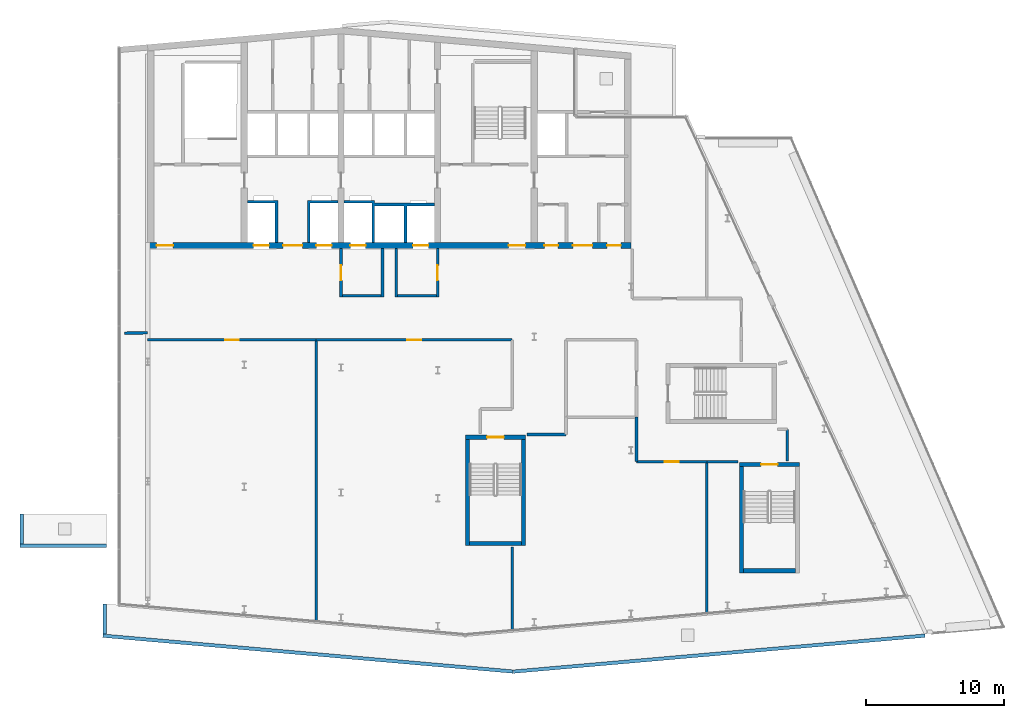
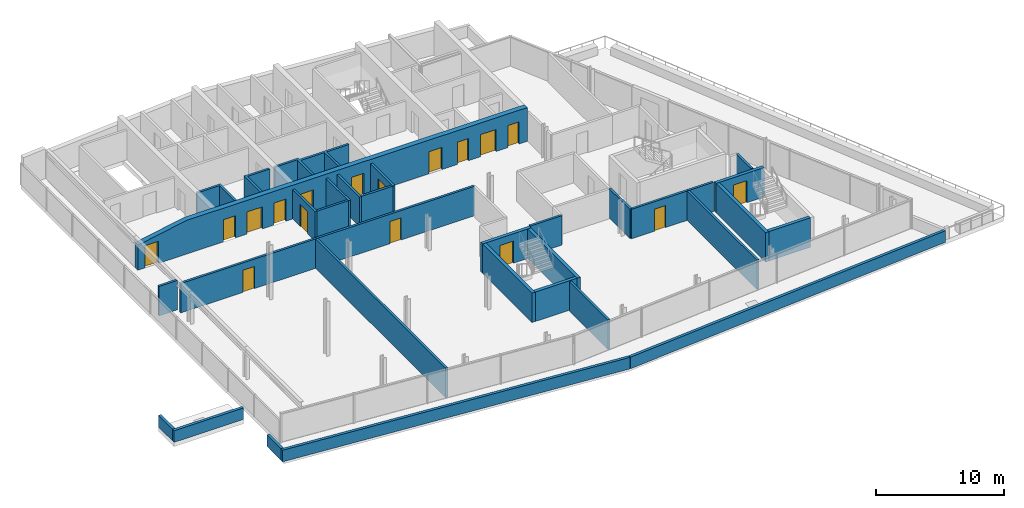
# One storey, part 11 of 17: 33 walls, 17 doors, 17 openings.
"""IFC4 building model written with IfcOpenShell, lengths in metres."""

import ifcopenshell
import ifcopenshell.guid

model = None  # the IFC model being written
_history = None  # IfcOwnerHistory: only IFC2X3 demands one
_inside = {}  # id of a spatial element -> (the spatial element, [elements in it])
_under = {}  # id of a project, library or spatial element -> (it, [spatial elements below it])
_declared = {}  # id of a project -> (the project, [libraries it declares])
_typed = {}  # id of a type object -> (the type object, [elements of that type])
_made_of = {}  # id of a material, layer set ... -> (it, [elements and type objects made of it])


def new_model(schema):
    """Start an empty IFC model of exactly this schema.

    Asked for "IFC4X3", IfcOpenShell would pick the latest addendum, in which some entities
    have other attributes; the version numbers below select the first issue.
    IFC2X3 requires an IfcOwnerHistory on every rooted entity: one is made here for all.
    """
    global model, _history
    if schema == "IFC4X3":
        model = ifcopenshell.file(schema_version=(4, 3, 0, 0))
    else:
        model = ifcopenshell.file(schema=schema)
    _inside.clear()
    _under.clear()
    _declared.clear()
    _typed.clear()
    _made_of.clear()
    _history = None
    if model.schema == "IFC2X3":
        org = make("IfcOrganization", Name="unknown")
        user = make(
            "IfcPersonAndOrganization",
            ThePerson=make("IfcPerson", FamilyName="unknown"),
            TheOrganization=org,
        )
        app = make(
            "IfcApplication",
            ApplicationDeveloper=org,
            Version="unknown",
            ApplicationFullName="unknown",
            ApplicationIdentifier="unknown",
        )
        _history = make(
            "IfcOwnerHistory",
            OwningUser=user,
            OwningApplication=app,
            ChangeAction="ADDED",
            CreationDate=0,
        )
    return model


def make(cls, **values):
    """One entity of the class cls with the attributes given. An attribute that is None is left unset."""
    return model.create_entity(
        cls, **{name: value for name, value in values.items() if value is not None}
    )


def rooted(cls, **values):
    """An entity with a GlobalId (a new one), such as an element, a storey or a relation."""
    return make(cls, GlobalId=ifcopenshell.guid.new(), OwnerHistory=_history, **values)


def si_unit(unit_type, name, prefix=None):
    """IfcSIUnit, for example si_unit("LENGTHUNIT", "METRE", prefix="MILLI")."""
    return make("IfcSIUnit", UnitType=unit_type, Prefix=prefix, Name=name)


def assignment(units):
    """IfcUnitAssignment: the units of a project."""
    return None if units is None else make("IfcUnitAssignment", Units=units)


def point(xyz):
    """IfcCartesianPoint."""
    return None if xyz is None else make("IfcCartesianPoint", Coordinates=xyz)


def direction(xyz):
    """IfcDirection."""
    return None if xyz is None else make("IfcDirection", DirectionRatios=xyz)


def frame(location, z_axis=None, x_axis=None):
    """IfcAxis2Placement3D, a coordinate frame: its origin and axes. An axis left out is left unset."""
    return make(
        "IfcAxis2Placement3D",
        Location=point(location),
        Axis=direction(z_axis),
        RefDirection=direction(x_axis),
    )


def frame_2d(location, x_axis=None):
    """IfcAxis2Placement2D, a coordinate frame in the plane: its origin and x axis."""
    return make(
        "IfcAxis2Placement2D", Location=point(location), RefDirection=direction(x_axis)
    )


def origin():
    """The frame at (0, 0, 0) with its axes left unset."""
    return frame((0.0, 0.0, 0.0))


def place(relative_to, where):
    """IfcLocalPlacement: puts the frame where relative to a parent placement (None: the world)."""
    return make(
        "IfcLocalPlacement", PlacementRelTo=relative_to, RelativePlacement=where
    )


def context(
    kind, dimensions, precision=None, world=None, true_north=None, identifier=None
):
    """IfcGeometricRepresentationContext, for example the 3D "Model" context."""
    return make(
        "IfcGeometricRepresentationContext",
        ContextIdentifier=identifier,
        ContextType=kind,
        CoordinateSpaceDimension=dimensions,
        Precision=precision,
        WorldCoordinateSystem=world,
        TrueNorth=true_north,
    )


def subcontext(parent, identifier, kind, view, scale=None):
    """IfcGeometricRepresentationSubContext, for example "Body" below "Model"."""
    return make(
        "IfcGeometricRepresentationSubContext",
        ContextIdentifier=identifier,
        ContextType=kind,
        ParentContext=parent,
        TargetScale=scale,
        TargetView=view,
    )


def project(units=None, contexts=None):
    """IfcProject with its units and contexts."""
    return rooted(
        "IfcProject",
        Name="project",
        RepresentationContexts=contexts,
        UnitsInContext=assignment(units),
    )


def spatial(cls, under=None, at=None, **own):
    """A site, building, storey or space (cls), placed at a placement, below another one or the project."""
    s = rooted(cls, ObjectPlacement=at, **own)
    if under is not None:
        _under.setdefault(under.id(), (under, []))[1].append(s)
    return s


def polyline(points):
    """IfcPolyline through the points."""
    return make("IfcPolyline", Points=[point(p) for p in points])


def profile(cls, at=None, kind="AREA", **sizes):
    """A parametric profile (cls). Its sizes go by their IFC names, for example OverallWidth=200.0."""
    return make(cls, ProfileType=kind, Position=at, **sizes)


def rectangle(**sizes):
    """IfcRectangleProfileDef."""
    return profile("IfcRectangleProfileDef", **sizes)


def outline(outer, holes=None, kind="AREA"):
    """IfcArbitraryClosedProfileDef: a profile drawn as a closed curve; with holes, ...WithVoids."""
    if holes is None:
        return make("IfcArbitraryClosedProfileDef", ProfileType=kind, OuterCurve=outer)
    return make(
        "IfcArbitraryProfileDefWithVoids",
        ProfileType=kind,
        OuterCurve=outer,
        InnerCurves=holes,
    )


def extrude(swept, where, along, depth):
    """IfcExtrudedAreaSolid: the profile swept, set in the frame where, extruded along a direction by depth."""
    return make(
        "IfcExtrudedAreaSolid",
        SweptArea=swept,
        Position=where,
        ExtrudedDirection=direction(along),
        Depth=depth,
    )


def shape(context_of_items, identifier, shape_type, items):
    """IfcShapeRepresentation: the items that make up one representation, for example the "Body"."""
    return make(
        "IfcShapeRepresentation",
        ContextOfItems=context_of_items,
        RepresentationIdentifier=identifier,
        RepresentationType=shape_type,
        Items=items,
    )


def material(Name=None, Category=None):
    """IfcMaterial."""
    return make("IfcMaterial", Name=Name, Category=Category)


def layer(
    of_material, thickness, ventilated=None, Name=None, Category=None, Priority=None
):
    """IfcMaterialLayer: one layer of a wall or slab, of a material (None: an air gap)."""
    return make(
        "IfcMaterialLayer",
        Material=of_material,
        LayerThickness=thickness,
        IsVentilated=ventilated,
        Name=Name,
        Category=Category,
        Priority=Priority,
    )


def layer_set(layers, Name=None):
    """IfcMaterialLayerSet."""
    return make("IfcMaterialLayerSet", MaterialLayers=layers, LayerSetName=Name)


def made_of(thing, what):
    """Note that an element or type object is made of a material, layer set ...; save() writes the relation."""
    if what is not None:
        _made_of.setdefault(what.id(), (what, []))[1].append(thing)
    return thing


def type_object(cls, material=None, **own):
    """A type object (cls), such as IfcWallType, which elements share."""
    return made_of(rooted(cls, **own), material)


def element(
    cls,
    number,
    at=None,
    inside=None,
    cuts=None,
    type_object=None,
    material=None,
    context=None,
    identifier="Body",
    shape_type=None,
    held_by="IfcProductDefinitionShape",
    body=None,
    shapes=None,
    **own,
):
    """One element of the class cls, such as IfcWall. Its Tag is "e" and its number.

    at: its placement. inside: the storey or other place that contains it. cuts: it is an
    opening in that element (IfcRelVoidsElement). A single representation is given by context,
    identifier, shape_type and body (its items); several are given by shapes. held_by: the class
    of the entity that holds the representations. save() writes the other relations.
    """
    e = rooted(cls, Tag="e%d" % number, ObjectPlacement=at, **own)
    if body is not None:
        shapes = [shape(context, identifier, shape_type, body)]
    if shapes is not None:
        e.Representation = make(held_by, Representations=shapes)
    if inside is not None:
        _inside.setdefault(inside.id(), (inside, []))[1].append(e)
    if cuts is not None:
        rooted(
            "IfcRelVoidsElement", RelatingBuildingElement=cuts, RelatedOpeningElement=e
        )
    if type_object is not None:
        _typed.setdefault(type_object.id(), (type_object, []))[1].append(e)
    return made_of(e, material)


def fill(opening, filler):
    """IfcRelFillsElement: the door or window that sits in an opening."""
    return rooted(
        "IfcRelFillsElement",
        RelatingOpeningElement=opening,
        RelatedBuildingElement=filler,
    )


def aggregate(whole, parts):
    """IfcRelAggregates: a whole, such as a stair, and the parts it consists of."""
    return rooted("IfcRelAggregates", RelatingObject=whole, RelatedObjects=parts)


def save(model, path):
    """Write the relations noted so far, then the file.

    IfcRelAggregates (storeys below a building ...), IfcRelContainedInSpatialStructure (elements
    in a storey), IfcRelDefinesByType, IfcRelAssociatesMaterial and IfcRelDeclares: one each for
    every whole, place, type object, material and project.
    """
    for whole, parts in _under.values():
        aggregate(whole, parts)
    for where, things in _inside.values():
        rooted(
            "IfcRelContainedInSpatialStructure",
            RelatedElements=things,
            RelatingStructure=where,
        )
    for kind, things in _typed.values():
        rooted("IfcRelDefinesByType", RelatedObjects=things, RelatingType=kind)
    for what, things in _made_of.values():
        rooted("IfcRelAssociatesMaterial", RelatedObjects=things, RelatingMaterial=what)
    for by, libraries in _declared.values():
        rooted("IfcRelDeclares", RelatingContext=by, RelatedDefinitions=libraries)
    model.write(path)


model = new_model("IFC4")

# Units and contexts
model_context = context("Model", 3, precision=1e-05, world=origin(), true_north=direction((0.0, 1.0)))
body_context = subcontext(model_context, "Body", "Model", "MODEL_VIEW")
ifc_project = project(units=[si_unit("LENGTHUNIT", "METRE"), si_unit("AREAUNIT", "SQUARE_METRE"), si_unit("VOLUMEUNIT", "CUBIC_METRE"), si_unit("PLANEANGLEUNIT", "RADIAN"), si_unit("MASSUNIT", "GRAM", prefix="KILO")], contexts=[model_context])

# Site, building, storey
site_placement = place(None, origin())
site = spatial("IfcSite", under=ifc_project, at=site_placement, CompositionType="ELEMENT")
building_placement = place(site_placement, origin())
building = spatial("IfcBuilding", under=site, at=building_placement, Name="Wharfspan Tower", CompositionType="ELEMENT")
storey_placement = place(building_placement, frame((0.0, 0.0, 261.100098)))
storey = spatial("IfcBuildingStorey", under=building, at=storey_placement, Name="L66", CompositionType="ELEMENT", Elevation=261.100098)

# Wall, opening, door
ifc_material_1 = material(Name="Calcium silicate masonry", Category="masonry")
ifc_layer_1 = layer(ifc_material_1, 0.199951)
ifc_layer_set_1 = layer_set([ifc_layer_1], Name="Calcium silicate masonry")
wall_type_1 = type_object("IfcWallType", Name="Core room wall 200", PredefinedType="PARTITIONING", material=ifc_layer_set_1)
wall_1_placement = place(storey_placement, frame((23.0, 27.399902, 0.0), z_axis=(0.0, 0.0, 1.0), x_axis=(1.0, 0.0, 0.0)))
wall_1 = element("IfcWall", 1, at=wall_1_placement, inside=storey, type_object=wall_type_1, Name="cr:L66:w1", PredefinedType="PARTITIONING", context=body_context, shape_type="SweptSolid", body=[
    extrude(rectangle(XDim=12.199951, YDim=0.199951, at=frame_2d((6.100098, 0.0))), origin(), (0.0, 0.0, 1.0), 2.799805),
])
opening_1_placement = place(wall_1_placement, frame((5.600098, 0.0, 0.0)))
opening_1 = element("IfcOpeningElement", 2, at=opening_1_placement, cuts=wall_1, Name="Opening CD66.d1", PredefinedType="OPENING", context=body_context, shape_type="SweptSolid", body=[
    extrude(rectangle(XDim=1.0, YDim=2.100098, at=frame_2d((0.5, 1.050049))), frame((0.0, 0.109863, 0.0), z_axis=(0.0, -1.0, 0.0), x_axis=(1.0, 0.0, 0.0)), (0.0, 0.0, 1.0), 0.219971),
])
ifc_material_2 = material(Name="Steel door leaf", Category="steel")
door_type_1 = type_object("IfcDoorType", Name="Core room door 1000x2100", OperationType="SINGLE_SWING_LEFT", PredefinedType="DOOR", material=ifc_material_2)
door_1_placement = place(opening_1_placement, origin())
door_1 = element("IfcDoor", 3, at=door_1_placement, inside=storey, type_object=door_type_1, Name="cd:L66:d1", OperationType="SINGLE_SWING_LEFT", OverallHeight=2.100098, OverallWidth=1.0, PredefinedType="DOOR", context=body_context, shape_type="SweptSolid", body=[
    extrude(rectangle(XDim=1.0, YDim=2.100098, at=frame_2d((0.5, 1.050049))), frame((0.0, 0.024902, 0.0), z_axis=(0.0, -1.0, 0.0), x_axis=(1.0, 0.0, 0.0)), (0.0, 0.0, 1.0), 0.050049),
])
fill(opening_1, door_1)

# Wall
wall_2_placement = place(storey_placement, frame((35.199951, 27.399902, 0.0), z_axis=(0.0, 0.0, 1.0), x_axis=(0.0, -1.0, 0.0)))
element("IfcWall", 4, at=wall_2_placement, inside=storey, type_object=wall_type_1, Name="cr:L66:w2", PredefinedType="PARTITIONING", context=body_context, shape_type="SweptSolid", body=[
    extrude(rectangle(XDim=20.354248, YDim=0.199951, at=frame_2d((10.177246, 0.0))), origin(), (0.0, 0.0, 1.0), 2.799805),
])

# Wall, opening, door
wall_3_placement = place(storey_placement, frame((35.199951, 27.399902, 0.0), z_axis=(0.0, 0.0, 1.0), x_axis=(1.0, 0.0, 0.0)))
wall_3 = element("IfcWall", 5, at=wall_3_placement, inside=storey, type_object=wall_type_1, Name="cr:L66:w5", PredefinedType="PARTITIONING", context=body_context, shape_type="SweptSolid", body=[
    extrude(rectangle(XDim=14.199951, YDim=0.199951, at=frame_2d((7.100098, 0.0))), origin(), (0.0, 0.0, 1.0), 2.799805),
])
opening_2_placement = place(wall_3_placement, frame((6.600098, 0.0, 0.0)))
opening_2 = element("IfcOpeningElement", 6, at=opening_2_placement, cuts=wall_3, Name="Opening CD66.d2", PredefinedType="OPENING", context=body_context, shape_type="SweptSolid", body=[
    extrude(rectangle(XDim=1.0, YDim=2.100098, at=frame_2d((0.5, 1.050049))), frame((0.0, 0.109863, 0.0), z_axis=(0.0, -1.0, 0.0), x_axis=(1.0, 0.0, 0.0)), (0.0, 0.0, 1.0), 0.219971),
])
door_2_placement = place(opening_2_placement, origin())
door_2 = element("IfcDoor", 7, at=door_2_placement, inside=storey, type_object=door_type_1, Name="cd:L66:d2", OperationType="SINGLE_SWING_LEFT", OverallHeight=2.100098, OverallWidth=1.0, PredefinedType="DOOR", context=body_context, shape_type="SweptSolid", body=[
    extrude(rectangle(XDim=1.0, YDim=2.100098, at=frame_2d((0.5, 1.050049))), frame((0.0, 0.024902, 0.0), z_axis=(0.0, -1.0, 0.0), x_axis=(1.0, 0.0, 0.0)), (0.0, 0.0, 1.0), 0.050049),
])
fill(opening_2, door_2)

# Walls
wall_4_placement = place(storey_placement, frame((49.399902, 12.400391, 0.0), z_axis=(0.0, 0.0, 1.0), x_axis=(0.0, -1.0, 0.0)))
element("IfcWall", 8, at=wall_4_placement, inside=storey, type_object=wall_type_1, Name="cr:L66:w6", PredefinedType="PARTITIONING", context=body_context, shape_type="SweptSolid", body=[
    extrude(rectangle(XDim=6.002197, YDim=0.199951, at=frame_2d((3.000977, 0.0))), origin(), (0.0, 0.0, 1.0), 2.799805),
])
wall_5_placement = place(storey_placement, frame((50.466064, 20.550293, 0.0), z_axis=(0.0, 0.0, 1.0), x_axis=(1.0, 0.0, 0.0)))
element("IfcWall", 9, at=wall_5_placement, inside=storey, type_object=wall_type_1, Name="cr:L66:w7", PredefinedType="PARTITIONING", context=body_context, shape_type="SweptSolid", body=[
    extrude(rectangle(XDim=2.833984, YDim=0.199951, at=frame_2d((1.416992, 0.0))), origin(), (0.0, 0.0, 1.0), 2.799805),
])
wall_6_placement = place(storey_placement, frame((58.399902, 21.800049, 0.0), z_axis=(0.0, 0.0, 1.0), x_axis=(0.0, -1.0, 0.0)))
element("IfcWall", 10, at=wall_6_placement, inside=storey, type_object=wall_type_1, Name="cr:L66:w9", PredefinedType="PARTITIONING", context=body_context, shape_type="SweptSolid", body=[
    extrude(rectangle(XDim=3.228271, YDim=0.199951, at=frame_2d((1.614258, 0.0))), origin(), (0.0, 0.0, 1.0), 2.799805),
])

# Wall, opening, door
wall_7_placement = place(storey_placement, frame((58.399902, 18.571777, 0.0), z_axis=(0.0, 0.0, 1.0), x_axis=(1.0, 0.0, 0.0)))
wall_7 = element("IfcWall", 11, at=wall_7_placement, inside=storey, type_object=wall_type_1, Name="cr:L66:w10", PredefinedType="PARTITIONING", context=body_context, shape_type="SweptSolid", body=[
    extrude(rectangle(XDim=5.100098, YDim=0.199951, at=frame_2d((2.550049, 0.0))), origin(), (0.0, 0.0, 1.0), 2.799805),
])
opening_3_placement = place(wall_7_placement, frame((2.050049, 0.0, 0.0)))
opening_3 = element("IfcOpeningElement", 12, at=opening_3_placement, cuts=wall_7, Name="Opening CD66.d3", PredefinedType="OPENING", context=body_context, shape_type="SweptSolid", body=[
    extrude(rectangle(XDim=1.0, YDim=2.100098, at=frame_2d((0.5, 1.050049))), frame((0.0, 0.109863, 0.0), z_axis=(0.0, -1.0, 0.0), x_axis=(1.0, 0.0, 0.0)), (0.0, 0.0, 1.0), 0.219971),
])
door_3_placement = place(opening_3_placement, origin())
door_3 = element("IfcDoor", 13, at=door_3_placement, inside=storey, type_object=door_type_1, Name="cd:L66:d3", OperationType="SINGLE_SWING_LEFT", OverallHeight=2.100098, OverallWidth=1.0, PredefinedType="DOOR", context=body_context, shape_type="SweptSolid", body=[
    extrude(rectangle(XDim=1.0, YDim=2.100098, at=frame_2d((0.5, 1.050049))), frame((0.0, 0.024902, 0.0), z_axis=(0.0, -1.0, 0.0), x_axis=(1.0, 0.0, 0.0)), (0.0, 0.0, 1.0), 0.050049),
])
fill(opening_3, door_3)

# Walls
wall_8_placement = place(storey_placement, frame((63.5, 18.571777, 0.0), z_axis=(0.0, 0.0, 1.0), x_axis=(0.0, -1.0, 0.0)))
element("IfcWall", 14, at=wall_8_placement, inside=storey, type_object=wall_type_1, Name="cr:L66:w11", PredefinedType="PARTITIONING", context=body_context, shape_type="SweptSolid", body=[
    extrude(rectangle(XDim=10.939941, YDim=0.199951, at=frame_2d((5.469971, 0.0))), origin(), (0.0, 0.0, 1.0), 2.799805),
])
wall_9_placement = place(storey_placement, frame((69.331543, 18.621582, 0.0), z_axis=(0.0, 0.0, 1.0), x_axis=(0.0, 1.0, 0.0)))
element("IfcWall", 15, at=wall_9_placement, inside=storey, type_object=wall_type_1, Name="cr:L66:w13", PredefinedType="PARTITIONING", context=body_context, shape_type="SweptSolid", body=[
    extrude(rectangle(XDim=2.300049, YDim=0.199951, at=frame_2d((1.149902, 0.0))), origin(), (0.0, 0.0, 1.0), 2.799805),
])
wall_10_placement = place(storey_placement, frame((63.5, 18.571777, 0.0), z_axis=(0.0, 0.0, 1.0), x_axis=(1.0, 0.0, 0.0)))
element("IfcWall", 16, at=wall_10_placement, inside=storey, type_object=wall_type_1, Name="cr:L66:w17", PredefinedType="PARTITIONING", context=body_context, shape_type="SweptSolid", body=[
    extrude(rectangle(XDim=2.256592, YDim=0.199951, at=frame_2d((1.128418, 0.0))), origin(), (0.0, 0.0, 1.0), 2.799805),
])
wall_11_placement = place(storey_placement, frame((21.330078, 27.885254, 0.0), z_axis=(0.0, 0.0, 1.0), x_axis=(0.999874, 0.016094, 0.0)))
element("IfcWall", 17, at=wall_11_placement, inside=storey, type_object=wall_type_1, Name="cr:L66:w24", PredefinedType="PARTITIONING", context=body_context, shape_type="SweptSolid", body=[
    extrude(rectangle(XDim=1.653564, YDim=0.199951, at=frame_2d((0.82666, 0.0))), origin(), (0.0, 0.0, 1.0), 2.799805),
])

# Wall, openings, doors
ifc_material_3 = material(Name="Concrete C50/60", Category="concrete")
ifc_layer_2 = layer(ifc_material_3, 0.449951)
ifc_layer_set_2 = layer_set([ifc_layer_2], Name="Concrete C50/60")
wall_type_2 = type_object("IfcWallType", Name="Core wall 450 C50/60", PredefinedType="SHEAR", material=ifc_layer_set_2)
wall_12_placement = place(storey_placement, frame((23.0, 34.225098, 0.0), z_axis=(0.0, 0.0, 1.0), x_axis=(1.0, 0.0, 0.0)))
wall_12 = element("IfcWall", 18, at=wall_12_placement, inside=storey, type_object=wall_type_2, Name="Core front wall L66", PredefinedType="SHEAR", context=body_context, shape_type="SweptSolid", body=[
    extrude(outline(polyline([(0.0, 0.0), (35.0, 0.0), (35.0, 3.199951), (30.625, 3.199951), (26.25, 3.199951), (21.875, 3.199951), (17.5, 3.199951), (13.125, 3.199951), (8.75, 3.199951), (4.375, 3.199951), (0.0, 2.365479), (0.0, 0.0)])), frame((0.0, 0.225098, 0.0), z_axis=(0.0, -1.0, 0.0), x_axis=(1.0, 0.0, 0.0)), (0.0, 0.0, 1.0), 0.449951),
])
opening_4_placement = place(wall_12_placement, frame((0.649902, 0.0, 0.0)))
opening_4 = element("IfcOpeningElement", 19, at=opening_4_placement, cuts=wall_12, Name="Opening SV2.L66", PredefinedType="OPENING", context=body_context, shape_type="SweptSolid", body=[
    extrude(rectangle(XDim=1.199951, YDim=2.100098, at=frame_2d((0.600098, 1.050049))), frame((0.0, 0.234863, 0.0), z_axis=(0.0, -1.0, 0.0), x_axis=(1.0, 0.0, 0.0)), (0.0, 0.0, 1.0), 0.469971),
])
opening_5_placement = place(wall_12_placement, frame((7.679199, 0.0, 0.0)))
opening_5 = element("IfcOpeningElement", 20, at=opening_5_placement, cuts=wall_12, Name="Opening LD.SL1.L66", PredefinedType="OPENING", context=body_context, shape_type="SweptSolid", body=[
    extrude(rectangle(XDim=1.100098, YDim=2.100098, at=frame_2d((0.550049, 1.050049))), frame((0.0, 0.234863, 0.0), z_axis=(0.0, -1.0, 0.0), x_axis=(1.0, 0.0, 0.0)), (0.0, 0.0, 1.0), 0.469971),
])
opening_6_placement = place(wall_12_placement, frame((12.220703, 0.0, 0.0)))
opening_6 = element("IfcOpeningElement", 21, at=opening_6_placement, cuts=wall_12, Name="Opening LD.SL2.L66", PredefinedType="OPENING", context=body_context, shape_type="SweptSolid", body=[
    extrude(rectangle(XDim=1.100098, YDim=2.100098, at=frame_2d((0.550049, 1.050049))), frame((0.0, 0.234863, 0.0), z_axis=(0.0, -1.0, 0.0), x_axis=(1.0, 0.0, 0.0)), (0.0, 0.0, 1.0), 0.469971),
])
opening_7_placement = place(wall_12_placement, frame((9.800049, 0.0, 0.0)))
opening_7 = element("IfcOpeningElement", 22, at=opening_7_placement, cuts=wall_12, Name="Opening HD66.3", PredefinedType="OPENING", context=body_context, shape_type="SweptSolid", body=[
    extrude(rectangle(XDim=1.399902, YDim=2.100098, at=frame_2d((0.699951, 1.050049))), frame((0.0, 0.234863, 0.0), z_axis=(0.0, -1.0, 0.0), x_axis=(1.0, 0.0, 0.0)), (0.0, 0.0, 1.0), 0.469971),
])
opening_8_placement = place(wall_12_placement, frame((14.679199, 0.0, 0.0)))
opening_8 = element("IfcOpeningElement", 23, at=opening_8_placement, cuts=wall_12, Name="Opening LD.FF1.L66", PredefinedType="OPENING", context=body_context, shape_type="SweptSolid", body=[
    extrude(rectangle(XDim=1.100098, YDim=2.100098, at=frame_2d((0.550049, 1.050049))), frame((0.0, 0.234863, 0.0), z_axis=(0.0, -1.0, 0.0), x_axis=(1.0, 0.0, 0.0)), (0.0, 0.0, 1.0), 0.469971),
])
opening_9_placement = place(wall_12_placement, frame((19.220703, 0.0, 0.0)))
opening_9 = element("IfcOpeningElement", 24, at=opening_9_placement, cuts=wall_12, Name="Opening LD.FF2.L66", PredefinedType="OPENING", context=body_context, shape_type="SweptSolid", body=[
    extrude(rectangle(XDim=1.100098, YDim=2.100098, at=frame_2d((0.550049, 1.050049))), frame((0.0, 0.234863, 0.0), z_axis=(0.0, -1.0, 0.0), x_axis=(1.0, 0.0, 0.0)), (0.0, 0.0, 1.0), 0.469971),
])
opening_10_placement = place(wall_12_placement, frame((26.149902, 0.0, 0.0)))
opening_10 = element("IfcOpeningElement", 25, at=opening_10_placement, cuts=wall_12, Name="Opening SV5.L66", PredefinedType="OPENING", context=body_context, shape_type="SweptSolid", body=[
    extrude(rectangle(XDim=1.199951, YDim=2.100098, at=frame_2d((0.600098, 1.050049))), frame((0.0, 0.234863, 0.0), z_axis=(0.0, -1.0, 0.0), x_axis=(1.0, 0.0, 0.0)), (0.0, 0.0, 1.0), 0.469971),
])
opening_11_placement = place(wall_12_placement, frame((28.729248, 0.0, 0.0)))
opening_11 = element("IfcOpeningElement", 26, at=opening_11_placement, cuts=wall_12, Name="Opening CD66.6F1", PredefinedType="OPENING", context=body_context, shape_type="SweptSolid", body=[
    extrude(rectangle(XDim=1.0, YDim=2.100098, at=frame_2d((0.5, 1.050049))), frame((0.0, 0.234863, 0.0), z_axis=(0.0, -1.0, 0.0), x_axis=(1.0, 0.0, 0.0)), (0.0, 0.0, 1.0), 0.469971),
])
opening_12_placement = place(wall_12_placement, frame((33.270752, 0.0, 0.0)))
opening_12 = element("IfcOpeningElement", 27, at=opening_12_placement, cuts=wall_12, Name="Opening CD66.6F3", PredefinedType="OPENING", context=body_context, shape_type="SweptSolid", body=[
    extrude(rectangle(XDim=1.0, YDim=2.100098, at=frame_2d((0.5, 1.050049))), frame((0.0, 0.234863, 0.0), z_axis=(0.0, -1.0, 0.0), x_axis=(1.0, 0.0, 0.0)), (0.0, 0.0, 1.0), 0.469971),
])
opening_13_placement = place(wall_12_placement, frame((30.800049, 0.0, 0.0)))
opening_13 = element("IfcOpeningElement", 28, at=opening_13_placement, cuts=wall_12, Name="Opening HD66.6", PredefinedType="OPENING", context=body_context, shape_type="SweptSolid", body=[
    extrude(rectangle(XDim=1.399902, YDim=2.100098, at=frame_2d((0.699951, 1.050049))), frame((0.0, 0.234863, 0.0), z_axis=(0.0, -1.0, 0.0), x_axis=(1.0, 0.0, 0.0)), (0.0, 0.0, 1.0), 0.469971),
])
door_4_placement = place(opening_11_placement, origin())
door_4 = element("IfcDoor", 29, at=door_4_placement, inside=storey, type_object=door_type_1, Name="d:L66:6:fd6.1", OperationType="SINGLE_SWING_LEFT", OverallHeight=2.100098, OverallWidth=1.0, PredefinedType="DOOR", context=body_context, shape_type="SweptSolid", body=[
    extrude(rectangle(XDim=1.0, YDim=2.100098, at=frame_2d((0.5, 1.050049))), frame((0.0, 0.024902, 0.0), z_axis=(0.0, -1.0, 0.0), x_axis=(1.0, 0.0, 0.0)), (0.0, 0.0, 1.0), 0.050049),
])
fill(opening_11, door_4)
door_5_placement = place(opening_12_placement, origin())
door_5 = element("IfcDoor", 30, at=door_5_placement, inside=storey, type_object=door_type_1, Name="d:L66:6:fd6.3", OperationType="SINGLE_SWING_LEFT", OverallHeight=2.100098, OverallWidth=1.0, PredefinedType="DOOR", context=body_context, shape_type="SweptSolid", body=[
    extrude(rectangle(XDim=1.0, YDim=2.100098, at=frame_2d((0.5, 1.050049))), frame((0.0, 0.024902, 0.0), z_axis=(0.0, -1.0, 0.0), x_axis=(1.0, 0.0, 0.0)), (0.0, 0.0, 1.0), 0.050049),
])
fill(opening_12, door_5)
door_type_2 = type_object("IfcDoorType", Name="Hall entry door 1400x2100", OperationType="DOUBLE_DOOR_SINGLE_SWING", PredefinedType="DOOR", material=ifc_material_2)
door_6_placement = place(opening_7_placement, origin())
door_6 = element("IfcDoor", 31, at=door_6_placement, inside=storey, type_object=door_type_2, Name="d:L66:3:hd3", OperationType="DOUBLE_DOOR_SINGLE_SWING", OverallHeight=2.100098, OverallWidth=1.399902, PredefinedType="DOOR", context=body_context, shape_type="SweptSolid", body=[
    extrude(rectangle(XDim=1.399902, YDim=2.100098, at=frame_2d((0.699951, 1.050049))), frame((0.0, 0.024902, 0.0), z_axis=(0.0, -1.0, 0.0), x_axis=(1.0, 0.0, 0.0)), (0.0, 0.0, 1.0), 0.050049),
])
fill(opening_7, door_6)
door_7_placement = place(opening_13_placement, origin())
door_7 = element("IfcDoor", 32, at=door_7_placement, inside=storey, type_object=door_type_2, Name="d:L66:6:hd6", OperationType="DOUBLE_DOOR_SINGLE_SWING", OverallHeight=2.100098, OverallWidth=1.399902, PredefinedType="DOOR", context=body_context, shape_type="SweptSolid", body=[
    extrude(rectangle(XDim=1.399902, YDim=2.100098, at=frame_2d((0.699951, 1.050049))), frame((0.0, 0.024902, 0.0), z_axis=(0.0, -1.0, 0.0), x_axis=(1.0, 0.0, 0.0)), (0.0, 0.0, 1.0), 0.050049),
])
fill(opening_13, door_7)
ifc_material_4 = material(Name="Stainless steel", Category="steel")
door_type_3 = type_object("IfcDoorType", Name="Lift landing door 1100x2100", OperationType="DOUBLE_DOOR_SLIDING", PredefinedType="DOOR", material=ifc_material_4)
door_8_placement = place(opening_5_placement, origin())
door_8 = element("IfcDoor", 33, at=door_8_placement, inside=storey, type_object=door_type_3, Name="Landing door SL1 L66", OperationType="DOUBLE_DOOR_SLIDING", OverallHeight=2.100098, OverallWidth=1.100098, PredefinedType="DOOR", context=body_context, shape_type="SweptSolid", body=[
    extrude(rectangle(XDim=1.100098, YDim=2.100098, at=frame_2d((0.550049, 1.050049))), frame((0.0, 0.024902, 0.0), z_axis=(0.0, -1.0, 0.0), x_axis=(1.0, 0.0, 0.0)), (0.0, 0.0, 1.0), 0.050049),
])
fill(opening_5, door_8)
door_9_placement = place(opening_6_placement, origin())
door_9 = element("IfcDoor", 34, at=door_9_placement, inside=storey, type_object=door_type_3, Name="Landing door SL2 L66", OperationType="DOUBLE_DOOR_SLIDING", OverallHeight=2.100098, OverallWidth=1.100098, PredefinedType="DOOR", context=body_context, shape_type="SweptSolid", body=[
    extrude(rectangle(XDim=1.100098, YDim=2.100098, at=frame_2d((0.550049, 1.050049))), frame((0.0, 0.024902, 0.0), z_axis=(0.0, -1.0, 0.0), x_axis=(1.0, 0.0, 0.0)), (0.0, 0.0, 1.0), 0.050049),
])
fill(opening_6, door_9)
door_10_placement = place(opening_8_placement, origin())
door_10 = element("IfcDoor", 35, at=door_10_placement, inside=storey, type_object=door_type_3, Name="Landing door FF1 L66", OperationType="DOUBLE_DOOR_SLIDING", OverallHeight=2.100098, OverallWidth=1.100098, PredefinedType="DOOR", context=body_context, shape_type="SweptSolid", body=[
    extrude(rectangle(XDim=1.100098, YDim=2.100098, at=frame_2d((0.550049, 1.050049))), frame((0.0, 0.024902, 0.0), z_axis=(0.0, -1.0, 0.0), x_axis=(1.0, 0.0, 0.0)), (0.0, 0.0, 1.0), 0.050049),
])
fill(opening_8, door_10)
door_11_placement = place(opening_9_placement, origin())
door_11 = element("IfcDoor", 36, at=door_11_placement, inside=storey, type_object=door_type_3, Name="Landing door FF2 L66", OperationType="DOUBLE_DOOR_SLIDING", OverallHeight=2.100098, OverallWidth=1.100098, PredefinedType="DOOR", context=body_context, shape_type="SweptSolid", body=[
    extrude(rectangle(XDim=1.100098, YDim=2.100098, at=frame_2d((0.550049, 1.050049))), frame((0.0, 0.024902, 0.0), z_axis=(0.0, -1.0, 0.0), x_axis=(1.0, 0.0, 0.0)), (0.0, 0.0, 1.0), 0.050049),
])
fill(opening_9, door_11)
door_type_4 = type_object("IfcDoorType", Name="Stair door 1200x2100", OperationType="SINGLE_SWING_LEFT", PredefinedType="DOOR", material=ifc_material_2)
door_12_placement = place(opening_4_placement, origin())
door_12 = element("IfcDoor", 37, at=door_12_placement, inside=storey, type_object=door_type_4, Name="vd:L66:2", OperationType="SINGLE_SWING_LEFT", OverallHeight=2.100098, OverallWidth=1.199951, PredefinedType="DOOR", context=body_context, shape_type="SweptSolid", body=[
    extrude(rectangle(XDim=1.199951, YDim=2.100098, at=frame_2d((0.600098, 1.050049))), frame((0.0, 0.024902, 0.0), z_axis=(0.0, -1.0, 0.0), x_axis=(1.0, 0.0, 0.0)), (0.0, 0.0, 1.0), 0.050049),
])
fill(opening_4, door_12)
door_13_placement = place(opening_10_placement, origin())
door_13 = element("IfcDoor", 38, at=door_13_placement, inside=storey, type_object=door_type_4, Name="vd:L66:5", OperationType="SINGLE_SWING_LEFT", OverallHeight=2.100098, OverallWidth=1.199951, PredefinedType="DOOR", context=body_context, shape_type="SweptSolid", body=[
    extrude(rectangle(XDim=1.199951, YDim=2.100098, at=frame_2d((0.600098, 1.050049))), frame((0.0, 0.024902, 0.0), z_axis=(0.0, -1.0, 0.0), x_axis=(1.0, 0.0, 0.0)), (0.0, 0.0, 1.0), 0.050049),
])
fill(opening_10, door_13)

# Walls
ifc_material_5 = material(Name="Concrete C30/37", Category="concrete")
ifc_layer_3 = layer(ifc_material_5, 0.199951)
ifc_layer_set_3 = layer_set([ifc_layer_3], Name="Concrete C30/37")
wall_type_3 = type_object("IfcWallType", Name="Lift shaft wall 200", PredefinedType="PARTITIONING", material=ifc_layer_set_3)
wall_13_placement = place(storey_placement, frame((0.0, 0.0, -0.000244)))
element("IfcWall", 39, at=wall_13_placement, inside=storey, type_object=wall_type_3, Name="sw:L66:FM3.0", PredefinedType="PARTITIONING", context=body_context, shape_type="SweptSolid", body=[
    extrude(outline(polyline([(32.233398, 37.300049), (30.225098, 37.300049), (30.225098, 37.5), (32.233398, 37.5), (32.43335, 37.5), (32.43335, 34.449951), (32.233398, 34.449951), (32.233398, 37.300049)])), origin(), (0.0, 0.0, 1.0), 2.800049),
])
wall_14_placement = place(storey_placement, frame((0.0, 0.0, -0.000244)))
element("IfcWall", 40, at=wall_14_placement, inside=storey, type_object=wall_type_3, Name="sw:L66:FM3.1", PredefinedType="PARTITIONING", context=body_context, shape_type="SweptSolid", body=[
    extrude(outline(polyline([(34.56665, 37.5), (34.766602, 37.5), (36.774902, 37.5), (36.774902, 37.300049), (34.766602, 37.300049), (34.766602, 34.449951), (34.56665, 34.449951), (34.56665, 37.5)])), origin(), (0.0, 0.0, 1.0), 2.800049),
])
wall_15_placement = place(storey_placement, frame((0.0, 0.0, -0.000244)))
element("IfcWall", 41, at=wall_15_placement, inside=storey, type_object=wall_type_3, Name="sw:L66:FM4.0", PredefinedType="PARTITIONING", context=body_context, shape_type="SweptSolid", body=[
    extrude(outline(polyline([(41.56665, 37.100098), (39.43335, 37.100098), (39.43335, 34.449951), (39.233398, 34.449951), (39.233398, 37.300049), (37.225098, 37.300049), (37.225098, 37.5), (39.233398, 37.5), (39.43335, 37.5), (39.43335, 37.300049), (41.56665, 37.300049), (41.766602, 37.300049), (43.774902, 37.300049), (43.774902, 37.100098), (41.766602, 37.100098), (41.766602, 34.449951), (41.56665, 34.449951), (41.56665, 37.100098)])), origin(), (0.0, 0.0, 1.0), 2.800049),
])

# Wall, opening, door
ifc_layer_4 = layer(ifc_material_5, 0.199951)
ifc_layer_set_4 = layer_set([ifc_layer_4], Name="Concrete C30/37")
wall_type_4 = type_object("IfcWallType", Name="Lobby wall 200", PredefinedType="PARTITIONING", material=ifc_layer_set_4)
wall_16_placement = place(storey_placement, frame((37.0, 30.5, 0.0), z_axis=(0.0, 0.0, 1.0), x_axis=(0.0, 1.0, 0.0)))
wall_16 = element("IfcWall", 42, at=wall_16_placement, inside=storey, type_object=wall_type_4, Name="sw:L66:FLFF1W", PredefinedType="PARTITIONING", context=body_context, shape_type="SweptSolid", body=[
    extrude(rectangle(XDim=3.5, YDim=0.199951, at=frame_2d((1.75, 0.0))), origin(), (0.0, 0.0, 1.0), 2.799805),
])
opening_14_placement = place(wall_16_placement, frame((1.199951, 0.0, 0.0)))
opening_14 = element("IfcOpeningElement", 43, at=opening_14_placement, cuts=wall_16, Name="Opening FL.FF1.L66", PredefinedType="OPENING", context=body_context, shape_type="SweptSolid", body=[
    extrude(rectangle(XDim=1.100098, YDim=2.100098, at=frame_2d((0.550049, 1.050049))), frame((0.0, 0.109863, 0.0), z_axis=(0.0, -1.0, 0.0), x_axis=(1.0, 0.0, 0.0)), (0.0, 0.0, 1.0), 0.219971),
])
door_type_5 = type_object("IfcDoorType", Name="Firefighting lobby door 1100x2100", OperationType="SINGLE_SWING_LEFT", PredefinedType="DOOR", material=ifc_material_2)
door_14_placement = place(opening_14_placement, origin())
door_14 = element("IfcDoor", 44, at=door_14_placement, inside=storey, type_object=door_type_5, Name="fd:L66:FF1", OperationType="SINGLE_SWING_LEFT", OverallHeight=2.100098, OverallWidth=1.100098, PredefinedType="DOOR", context=body_context, shape_type="SweptSolid", body=[
    extrude(rectangle(XDim=1.100098, YDim=2.100098, at=frame_2d((0.550049, 1.050049))), frame((0.0, 0.024902, 0.0), z_axis=(0.0, -1.0, 0.0), x_axis=(1.0, 0.0, 0.0)), (0.0, 0.0, 1.0), 0.050049),
])
fill(opening_14, door_14)

# Walls
wall_17_placement = place(storey_placement, frame((40.0, 30.5, 0.0), z_axis=(0.0, 0.0, 1.0), x_axis=(0.0, 1.0, 0.0)))
element("IfcWall", 45, at=wall_17_placement, inside=storey, type_object=wall_type_4, Name="sw:L66:FLFF1E", PredefinedType="PARTITIONING", context=body_context, shape_type="SweptSolid", body=[
    extrude(rectangle(XDim=3.5, YDim=0.199951, at=frame_2d((1.75, 0.0))), origin(), (0.0, 0.0, 1.0), 2.799805),
])
wall_18_placement = place(storey_placement, frame((37.100098, 30.600098, 0.0), z_axis=(0.0, 0.0, 1.0), x_axis=(1.0, 0.0, 0.0)))
element("IfcWall", 46, at=wall_18_placement, inside=storey, type_object=wall_type_4, Name="sw:L66:FLFF1F", PredefinedType="PARTITIONING", context=body_context, shape_type="SweptSolid", body=[
    extrude(rectangle(XDim=2.799805, YDim=0.199951, at=frame_2d((1.399902, 0.0))), origin(), (0.0, 0.0, 1.0), 2.799805),
])
wall_19_placement = place(storey_placement, frame((41.0, 30.5, 0.0), z_axis=(0.0, 0.0, 1.0), x_axis=(0.0, 1.0, 0.0)))
element("IfcWall", 47, at=wall_19_placement, inside=storey, type_object=wall_type_4, Name="sw:L66:FLFF2W", PredefinedType="PARTITIONING", context=body_context, shape_type="SweptSolid", body=[
    extrude(rectangle(XDim=3.5, YDim=0.199951, at=frame_2d((1.75, 0.0))), origin(), (0.0, 0.0, 1.0), 2.799805),
])

# Wall, opening, door
wall_20_placement = place(storey_placement, frame((44.0, 30.5, 0.0), z_axis=(0.0, 0.0, 1.0), x_axis=(0.0, 1.0, 0.0)))
wall_20 = element("IfcWall", 48, at=wall_20_placement, inside=storey, type_object=wall_type_4, Name="sw:L66:FLFF2E", PredefinedType="PARTITIONING", context=body_context, shape_type="SweptSolid", body=[
    extrude(rectangle(XDim=3.5, YDim=0.199951, at=frame_2d((1.75, 0.0))), origin(), (0.0, 0.0, 1.0), 2.799805),
])
opening_15_placement = place(wall_20_placement, frame((1.199951, 0.0, 0.0)))
opening_15 = element("IfcOpeningElement", 49, at=opening_15_placement, cuts=wall_20, Name="Opening FL.FF2.L66", PredefinedType="OPENING", context=body_context, shape_type="SweptSolid", body=[
    extrude(rectangle(XDim=1.100098, YDim=2.100098, at=frame_2d((0.550049, 1.050049))), frame((0.0, 0.109863, 0.0), z_axis=(0.0, -1.0, 0.0), x_axis=(1.0, 0.0, 0.0)), (0.0, 0.0, 1.0), 0.219971),
])
door_15_placement = place(opening_15_placement, origin())
door_15 = element("IfcDoor", 50, at=door_15_placement, inside=storey, type_object=door_type_5, Name="fd:L66:FF2", OperationType="SINGLE_SWING_LEFT", OverallHeight=2.100098, OverallWidth=1.100098, PredefinedType="DOOR", context=body_context, shape_type="SweptSolid", body=[
    extrude(rectangle(XDim=1.100098, YDim=2.100098, at=frame_2d((0.550049, 1.050049))), frame((0.0, 0.024902, 0.0), z_axis=(0.0, -1.0, 0.0), x_axis=(1.0, 0.0, 0.0)), (0.0, 0.0, 1.0), 0.050049),
])
fill(opening_15, door_15)

# Walls
wall_21_placement = place(storey_placement, frame((41.100098, 30.600098, 0.0), z_axis=(0.0, 0.0, 1.0), x_axis=(1.0, 0.0, 0.0)))
element("IfcWall", 51, at=wall_21_placement, inside=storey, type_object=wall_type_4, Name="sw:L66:FLFF2F", PredefinedType="PARTITIONING", context=body_context, shape_type="SweptSolid", body=[
    extrude(rectangle(XDim=2.799805, YDim=0.199951, at=frame_2d((1.399902, 0.0))), origin(), (0.0, 0.0, 1.0), 2.799805),
])
ifc_material_6 = material(Name="Concrete C40/50", Category="concrete")
ifc_layer_5 = layer(ifc_material_6, 0.25)
ifc_layer_set_5 = layer_set([ifc_layer_5], Name="Concrete C40/50")
wall_type_5 = type_object("IfcWallType", Name="PARAPET CONCRETE 250", PredefinedType="PARAPET", material=ifc_layer_set_5)
wall_22_placement = place(storey_placement, frame((79.304688, 5.976318, 0.0), z_axis=(0.0, 0.0, 1.0), x_axis=(-0.996196, -0.087159, 0.0)))
element("IfcWall", 52, at=wall_22_placement, inside=storey, type_object=wall_type_5, Name="Ledge parapet", PredefinedType="PARAPET", context=body_context, shape_type="SweptSolid", body=[
    extrude(rectangle(XDim=29.918457, YDim=0.25, at=frame_2d((14.959229, 0.0))), origin(), (0.0, 0.0, 1.0), 1.099854),
])
wall_23_placement = place(storey_placement, frame((49.470215, 3.371338, 0.0), z_axis=(0.0, 0.0, 1.0), x_axis=(-0.996191, 0.087154, 0.0)))
element("IfcWall", 53, at=wall_23_placement, inside=storey, type_object=wall_type_5, Name="Ledge parapet", PredefinedType="PARAPET", context=body_context, shape_type="SweptSolid", body=[
    extrude(rectangle(XDim=29.833252, YDim=0.25, at=frame_2d((14.916504, 0.0))), origin(), (0.0, 0.0, 1.0), 1.099854),
])
wall_24_placement = place(storey_placement, frame((19.875, 6.095459, 0.0), z_axis=(0.0, 0.0, 1.0), x_axis=(0.0, 1.0, 0.0)))
element("IfcWall", 54, at=wall_24_placement, inside=storey, type_object=wall_type_5, Name="Ledge parapet", PredefinedType="PARAPET", context=body_context, shape_type="SweptSolid", body=[
    extrude(rectangle(XDim=2.179688, YDim=0.25, at=frame_2d((1.089844, 0.0))), origin(), (0.0, 0.0, 1.0), 1.099854),
])
wall_25_placement = place(storey_placement, frame((20.0, 12.475098, 0.0), z_axis=(0.0, 0.0, 1.0), x_axis=(-1.0, 0.0, 0.0)))
element("IfcWall", 55, at=wall_25_placement, inside=storey, type_object=wall_type_5, Name="Ledge parapet", PredefinedType="PARAPET", context=body_context, shape_type="SweptSolid", body=[
    extrude(rectangle(XDim=6.25, YDim=0.25, at=frame_2d((3.125, 0.0))), origin(), (0.0, 0.0, 1.0), 1.099854),
])
wall_26_placement = place(storey_placement, frame((13.875, 12.600098, 0.0), z_axis=(0.0, 0.0, 1.0), x_axis=(0.0, 1.0, 0.0)))
element("IfcWall", 56, at=wall_26_placement, inside=storey, type_object=wall_type_5, Name="Ledge parapet", PredefinedType="PARAPET", context=body_context, shape_type="SweptSolid", body=[
    extrude(rectangle(XDim=2.199951, YDim=0.25, at=frame_2d((1.100098, 0.0))), origin(), (0.0, 0.0, 1.0), 1.099854),
])

# Wall, opening, door
ifc_layer_6 = layer(ifc_material_6, 0.300049)
ifc_layer_set_6 = layer_set([ifc_layer_6], Name="Concrete C40/50")
wall_type_6 = type_object("IfcWallType", Name="Stair core wall 300", PredefinedType="SHEAR", material=ifc_layer_set_6)
wall_27_placement = place(storey_placement, frame((65.856689, 18.371582, 0.0), z_axis=(0.0, 0.0, 1.0), x_axis=(1.0, 0.0, 0.0)))
wall_27 = element("IfcWall", 57, at=wall_27_placement, inside=storey, type_object=wall_type_6, Name="ST7 stair enclosure wall L66", PredefinedType="SHEAR", context=body_context, shape_type="SweptSolid", body=[
    extrude(rectangle(XDim=4.349854, YDim=0.300049, at=frame_2d((2.174805, 0.0))), origin(), (0.0, 0.0, 1.0), 2.799805),
])
opening_16_placement = place(wall_27_placement, frame((1.574951, 0.0, 0.0)))
opening_16 = element("IfcOpeningElement", 58, at=opening_16_placement, cuts=wall_27, Name="Opening SD7.L66", PredefinedType="OPENING", context=body_context, shape_type="SweptSolid", body=[
    extrude(rectangle(XDim=1.199951, YDim=2.100098, at=frame_2d((0.600098, 1.050049))), frame((0.0, 0.159912, 0.0), z_axis=(0.0, -1.0, 0.0), x_axis=(1.0, 0.0, 0.0)), (0.0, 0.0, 1.0), 0.320068),
])
door_16_placement = place(opening_16_placement, origin())
door_16 = element("IfcDoor", 59, at=door_16_placement, inside=storey, type_object=door_type_4, Name="sd:L66:ST7z5", OperationType="SINGLE_SWING_RIGHT", OverallHeight=2.100098, OverallWidth=1.199951, PredefinedType="DOOR", context=body_context, shape_type="SweptSolid", body=[
    extrude(rectangle(XDim=1.199951, YDim=2.100098, at=frame_2d((0.600098, 1.050049))), frame((0.0, 0.024902, 0.0), z_axis=(0.0, -1.0, 0.0), x_axis=(1.0, 0.0, 0.0)), (0.0, 0.0, 1.0), 0.050049),
])
fill(opening_16, door_16)

wall_28_placement = place(storey_placement, frame((46.016113, 20.350342, 0.0), z_axis=(0.0, 0.0, 1.0), x_axis=(1.0, 0.0, 0.0)))
wall_28 = element("IfcWall", 60, at=wall_28_placement, inside=storey, type_object=wall_type_6, Name="ST9 stair enclosure wall L66", PredefinedType="SHEAR", context=body_context, shape_type="SweptSolid", body=[
    extrude(rectangle(XDim=4.350098, YDim=0.300049, at=frame_2d((2.175049, 0.0))), origin(), (0.0, 0.0, 1.0), 2.799805),
])
opening_17_placement = place(wall_28_placement, frame((1.574951, 0.0, 0.0)))
opening_17 = element("IfcOpeningElement", 61, at=opening_17_placement, cuts=wall_28, Name="Opening SD9.L66", PredefinedType="OPENING", context=body_context, shape_type="SweptSolid", body=[
    extrude(rectangle(XDim=1.199951, YDim=2.100098, at=frame_2d((0.600098, 1.050049))), frame((0.0, 0.159912, 0.0), z_axis=(0.0, -1.0, 0.0), x_axis=(1.0, 0.0, 0.0)), (0.0, 0.0, 1.0), 0.320068),
])
door_17_placement = place(opening_17_placement, origin())
door_17 = element("IfcDoor", 62, at=door_17_placement, inside=storey, type_object=door_type_4, Name="sd:L66:ST9z5", OperationType="SINGLE_SWING_RIGHT", OverallHeight=2.100098, OverallWidth=1.199951, PredefinedType="DOOR", context=body_context, shape_type="SweptSolid", body=[
    extrude(rectangle(XDim=1.199951, YDim=2.100098, at=frame_2d((0.600098, 1.050049))), frame((0.0, 0.024902, 0.0), z_axis=(0.0, -1.0, 0.0), x_axis=(1.0, 0.0, 0.0)), (0.0, 0.0, 1.0), 0.050049),
])
fill(opening_17, door_17)

# Walls
wall_29_placement = place(storey_placement, frame((66.006592, 10.521729, 0.0), z_axis=(0.0, 0.0, 1.0), x_axis=(0.0, 1.0, 0.0)))
element("IfcWall", 63, at=wall_29_placement, inside=storey, type_object=wall_type_6, Name="ST7 stair enclosure wall L66", PredefinedType="SHEAR", context=body_context, shape_type="SweptSolid", body=[
    extrude(rectangle(XDim=7.699951, YDim=0.300049, at=frame_2d((3.850098, 0.0))), origin(), (0.0, 0.0, 1.0), 2.799805),
])
wall_30_placement = place(storey_placement, frame((66.156494, 10.671631, 0.0), z_axis=(0.0, 0.0, 1.0), x_axis=(1.0, 0.0, 0.0)))
element("IfcWall", 64, at=wall_30_placement, inside=storey, type_object=wall_type_6, Name="ST7 stair enclosure wall L66", PredefinedType="SHEAR", context=body_context, shape_type="SweptSolid", body=[
    extrude(rectangle(XDim=3.75, YDim=0.300049, at=frame_2d((1.875, 0.0))), origin(), (0.0, 0.0, 1.0), 2.799805),
])
for number, where, z_axis, x_axis, name in (
    (65, (46.166016, 12.500488, 0.0), (0.0, 0.0, 1.0), (0.0, 1.0, 0.0), "ST9 stair enclosure wall L66"),
    (66, (50.216064, 12.500488, 0.0), (0.0, 0.0, 1.0), (0.0, 1.0, 0.0), "ST9 stair enclosure wall L66"),
):
    element("IfcWall", number, at=place(storey_placement, frame(where, z_axis=z_axis, x_axis=x_axis)), inside=storey, type_object=wall_type_6, Name=name, PredefinedType="SHEAR", context=body_context, shape_type="SweptSolid", body=[
        extrude(rectangle(XDim=7.699951, YDim=0.300049, at=frame_2d((3.850098, 0.0))), origin(), (0.0, 0.0, 1.0), 2.799805),
    ])
wall_31_placement = place(storey_placement, frame((46.316162, 12.650391, 0.0), z_axis=(0.0, 0.0, 1.0), x_axis=(1.0, 0.0, 0.0)))
element("IfcWall", 67, at=wall_31_placement, inside=storey, type_object=wall_type_6, Name="ST9 stair enclosure wall L66", PredefinedType="SHEAR", context=body_context, shape_type="SweptSolid", body=[
    extrude(rectangle(XDim=3.75, YDim=0.300049, at=frame_2d((1.875, 0.0))), origin(), (0.0, 0.0, 1.0), 2.799805),
])

save(model, "model.ifc")
